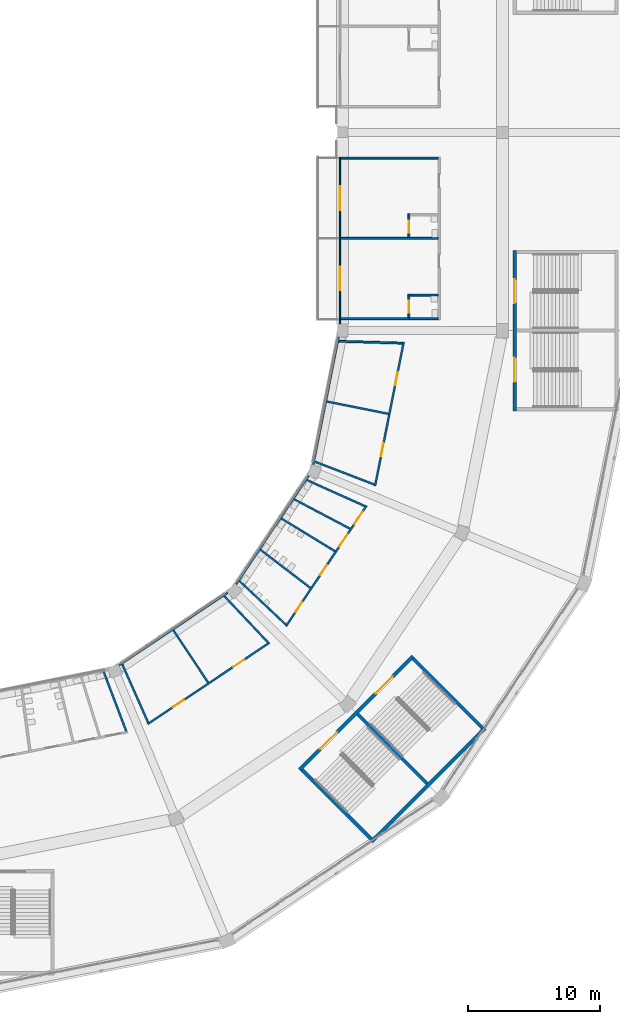
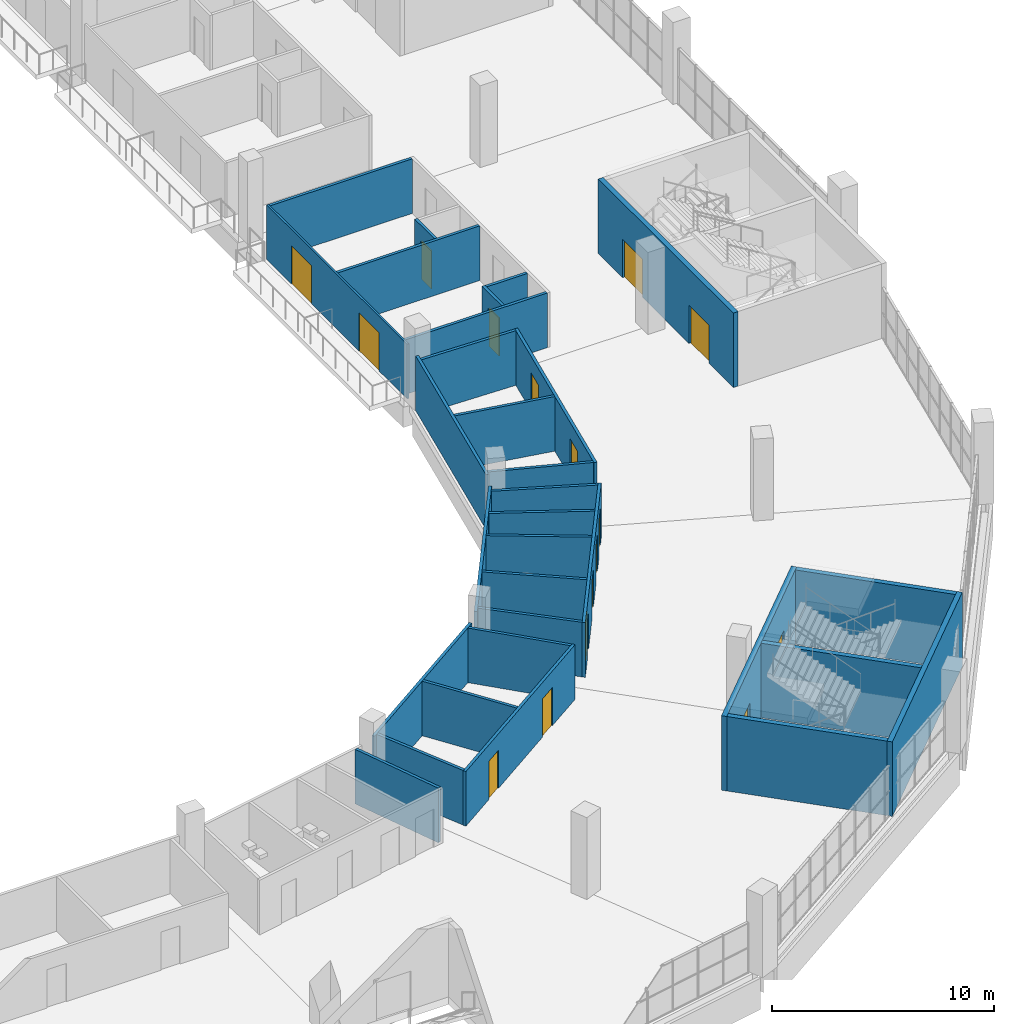
# One storey, part 79 of 199: 31 walls, 16 doors, 16 openings.
"""IFC4 building model written with IfcOpenShell, lengths in metres."""

from ifc_helpers import new_model, si_unit, direction, frame, frame_2d, origin, place, context, subcontext, project, spatial, rectangle, extrude, material, layer, layer_set, type_object, element, fill, save


model = new_model("IFC4")

# Units and contexts
model_context = context("Model", 3, precision=1e-05, world=origin(), true_north=direction((0.0, 1.0)))
body_context = subcontext(model_context, "Body", "Model", "MODEL_VIEW")
ifc_project = project(units=[si_unit("LENGTHUNIT", "METRE"), si_unit("AREAUNIT", "SQUARE_METRE"), si_unit("VOLUMEUNIT", "CUBIC_METRE"), si_unit("PLANEANGLEUNIT", "RADIAN"), si_unit("MASSUNIT", "GRAM", prefix="KILO")], contexts=[model_context])

# Site, building, storey
site_placement = place(None, origin())
site = spatial("IfcSite", under=ifc_project, at=site_placement, CompositionType="ELEMENT")
building_placement = place(site_placement, origin())
building = spatial("IfcBuilding", under=site, at=building_placement, Name="Ogive Plaza Stadium", CompositionType="ELEMENT")
storey_placement = place(building_placement, frame((0.0, 0.0, 9.0)))
storey = spatial("IfcBuildingStorey", under=building, at=storey_placement, Name="L02", CompositionType="ELEMENT", Elevation=9.0)

# Walls
ifc_material_1 = material(Name="Masonry blockwork", Category="masonry")
ifc_layer_1 = layer(ifc_material_1, 0.14990234375)
ifc_layer_set_1 = layer_set([ifc_layer_1], Name="Blockwork wall 150")
wall_type_1 = type_object("IfcWallType", Name="Blockwork wall 150", PredefinedType="SOLIDWALL", material=ifc_layer_set_1)
for number, where, z_axis, x_axis, name in (
    (1, (61.75, -51.60009765625, 0.0), (0.0, 0.0, 1.0), (1.0, 0.0, 0.0), "Wall L02 B07"),
    (2, (61.75, -45.52490234375, 0.0), (0.0, 0.0, 1.0), (1.0, 0.0, 0.0), "Wall L02 B07"),
    (3, (61.75, -39.449951171875, 0.0), (0.0, 0.0, 1.0), (1.0, 0.0, 0.0), "Wall L02 B07"),
):
    element("IfcWall", number, at=place(storey_placement, frame(where, z_axis=z_axis, x_axis=x_axis)), inside=storey, type_object=wall_type_1, Name=name, PredefinedType="SOLIDWALL", context=body_context, shape_type="SweptSolid", body=[
        extrude(rectangle(XDim=7.375, YDim=0.14990234375, at=frame_2d((3.6875, 0.0))), origin(), (0.0, 0.0, 1.0), 3.0),
    ])
wall_1_placement = place(storey_placement, frame((61.6005859375, -53.0, 0.0), z_axis=(0.0, 0.0, 1.0), x_axis=(-0.195099676887, -0.980783419557, 0.0)))
element("IfcWall", 4, at=wall_1_placement, inside=storey, type_object=wall_type_1, Name="Wall L02 B08", PredefinedType="SOLIDWALL", context=body_context, shape_type="SweptSolid", body=[
    extrude(rectangle(XDim=9.83935546875, YDim=0.14990234375, at=frame_2d((4.919677734375, 0.0))), origin(), (0.0, 0.0, 1.0), 3.0),
])

# Wall, openings, doors
wall_2_placement = place(storey_placement, frame((66.525634765625, -53.376220703125, 0.0), z_axis=(0.0, 0.0, 1.0), x_axis=(-0.195088107962, -0.980785720803, 0.0)))
wall_2 = element("IfcWall", 5, at=wall_2_placement, inside=storey, type_object=wall_type_1, Name="Wall L02 B08", PredefinedType="SOLIDWALL", context=body_context, shape_type="SweptSolid", body=[
    extrude(rectangle(XDim=11.09912109375, YDim=0.14990234375, at=frame_2d((5.549560546875, 0.0))), origin(), (0.0, 0.0, 1.0), 3.0),
])
opening_1_placement = place(wall_2_placement, frame((2.3154296875, 0.0, 0.0)))
opening_1 = element("IfcOpeningElement", 6, at=opening_1_placement, cuts=wall_2, Name="Opening D0643", PredefinedType="OPENING", context=body_context, shape_type="SweptSolid", body=[
    extrude(rectangle(XDim=1.0, YDim=2.10009765625, at=frame_2d((0.5, 1.050048828125))), frame((0.0, 0.074951171875, 0.0), z_axis=(0.0, -1.0, 0.0), x_axis=(1.0, 0.0, 0.0)), (0.0, 0.0, 1.0), 0.14990234375),
])
opening_2_placement = place(wall_2_placement, frame((7.78369140625, 0.0, 0.0)))
opening_2 = element("IfcOpeningElement", 7, at=opening_2_placement, cuts=wall_2, Name="Opening D0644", PredefinedType="OPENING", context=body_context, shape_type="SweptSolid", body=[
    extrude(rectangle(XDim=1.0, YDim=2.10009765625, at=frame_2d((0.5, 1.050048828125))), frame((0.0, 0.074951171875, 0.0), z_axis=(0.0, -1.0, 0.0), x_axis=(1.0, 0.0, 0.0)), (0.0, 0.0, 1.0), 0.14990234375),
])
ifc_material_2 = material(Name="Steel ASTM A572 Grade 50", Category="steel")
door_type_1 = type_object("IfcDoorType", Name="Fire door FD60 1000 x 2100", OperationType="SINGLE_SWING_LEFT", PredefinedType="DOOR", material=ifc_material_2)
door_1_placement = place(opening_1_placement, origin())
door_1 = element("IfcDoor", 8, at=door_1_placement, inside=storey, type_object=door_type_1, Name="Hospitality Pantry B08 door", OperationType="SINGLE_SWING_LEFT", OverallHeight=2.10009765625, OverallWidth=1.0, PredefinedType="DOOR", context=body_context, shape_type="SweptSolid", body=[
    extrude(rectangle(XDim=1.0, YDim=2.10009765625, at=frame_2d((0.5, 1.050048828125))), frame((0.0, 0.02490234375, 0.0), z_axis=(0.0, -1.0, 0.0), x_axis=(1.0, 0.0, 0.0)), (0.0, 0.0, 1.0), 0.050048828125),
])
fill(opening_1, door_1)
door_2_placement = place(opening_2_placement, origin())
door_2 = element("IfcDoor", 9, at=door_2_placement, inside=storey, type_object=door_type_1, Name="Hospitality Store B08 door", OperationType="SINGLE_SWING_RIGHT", OverallHeight=2.10009765625, OverallWidth=1.0, PredefinedType="DOOR", context=body_context, shape_type="SweptSolid", body=[
    extrude(rectangle(XDim=1.0, YDim=2.10009765625, at=frame_2d((0.5, 1.050048828125))), frame((0.0, 0.02490234375, 0.0), z_axis=(0.0, -1.0, 0.0), x_axis=(1.0, 0.0, 0.0)), (0.0, 0.0, 1.0), 0.050048828125),
])
fill(opening_2, door_2)

# Walls
wall_3_placement = place(storey_placement, frame((61.613525390625, -53.311767578125, 0.0), z_axis=(0.0, 0.0, 1.0), x_axis=(0.999567579473, -0.029405000692, 0.0)))
element("IfcWall", 10, at=wall_3_placement, inside=storey, type_object=wall_type_1, Name="Wall L02 B08", PredefinedType="SOLIDWALL", context=body_context, shape_type="SweptSolid", body=[
    extrude(rectangle(XDim=4.823974609375, YDim=0.14990234375, at=frame_2d((2.412109375, 0.0))), origin(), (0.0, 0.0, 1.0), 3.0),
])
wall_4_placement = place(storey_placement, frame((60.707275390625, -57.8671875, 0.0), z_axis=(0.0, 0.0, 1.0), x_axis=(0.980396663012, -0.19703396447, 0.0)))
element("IfcWall", 11, at=wall_4_placement, inside=storey, type_object=wall_type_1, Name="Wall L02 B08", PredefinedType="SOLIDWALL", context=body_context, shape_type="SweptSolid", body=[
    extrude(rectangle(XDim=4.7568359375, YDim=0.14990234375, at=frame_2d((2.37841796875, 0.0))), origin(), (0.0, 0.0, 1.0), 3.0),
])
wall_5_placement = place(storey_placement, frame((59.80126953125, -62.4228515625, 0.0), z_axis=(0.0, 0.0, 1.0), x_axis=(0.933357337601, -0.358948576187, 0.0)))
element("IfcWall", 12, at=wall_5_placement, inside=storey, type_object=wall_type_1, Name="Wall L02 B08", PredefinedType="SOLIDWALL", context=body_context, shape_type="SweptSolid", body=[
    extrude(rectangle(XDim=4.8271484375, YDim=0.14990234375, at=frame_2d((2.41357421875, 0.0))), origin(), (0.0, 0.0, 1.0), 3.0),
])
wall_6_placement = place(storey_placement, frame((53.205322265625, -72.341796875, 0.0), z_axis=(0.0, 0.0, 1.0), x_axis=(-0.831461186136, -0.555582843463, 0.0)))
element("IfcWall", 13, at=wall_6_placement, inside=storey, type_object=wall_type_1, Name="Wall L02 B10", PredefinedType="SOLIDWALL", context=body_context, shape_type="SweptSolid", body=[
    extrude(rectangle(XDim=9.890380859375, YDim=0.14990234375, at=frame_2d((4.9453125, 0.0))), origin(), (0.0, 0.0, 1.0), 3.0),
])

# Wall, openings, doors
wall_7_placement = place(storey_placement, frame((56.379638671875, -76.11865234375, 0.0), z_axis=(0.0, 0.0, 1.0), x_axis=(-0.831471162003, -0.555567913722, 0.0)))
wall_7 = element("IfcWall", 14, at=wall_7_placement, inside=storey, type_object=wall_type_1, Name="Wall L02 B10", PredefinedType="SOLIDWALL", context=body_context, shape_type="SweptSolid", body=[
    extrude(rectangle(XDim=11.09912109375, YDim=0.14990234375, at=frame_2d((5.549560546875, 0.0))), origin(), (0.0, 0.0, 1.0), 3.0),
])
opening_3_placement = place(wall_7_placement, frame((2.3154296875, 0.0, 0.0)))
opening_3 = element("IfcOpeningElement", 15, at=opening_3_placement, cuts=wall_7, Name="Opening D0649", PredefinedType="OPENING", context=body_context, shape_type="SweptSolid", body=[
    extrude(rectangle(XDim=1.0, YDim=2.10009765625, at=frame_2d((0.5, 1.050048828125))), frame((0.0, 0.074951171875, 0.0), z_axis=(0.0, -1.0, 0.0), x_axis=(1.0, 0.0, 0.0)), (0.0, 0.0, 1.0), 0.14990234375),
])
opening_4_placement = place(wall_7_placement, frame((7.78369140625, 0.0, 0.0)))
opening_4 = element("IfcOpeningElement", 16, at=opening_4_placement, cuts=wall_7, Name="Opening D0650", PredefinedType="OPENING", context=body_context, shape_type="SweptSolid", body=[
    extrude(rectangle(XDim=1.0, YDim=2.10009765625, at=frame_2d((0.5, 1.050048828125))), frame((0.0, 0.074951171875, 0.0), z_axis=(0.0, -1.0, 0.0), x_axis=(1.0, 0.0, 0.0)), (0.0, 0.0, 1.0), 0.14990234375),
])
door_3_placement = place(opening_3_placement, origin())
door_3 = element("IfcDoor", 17, at=door_3_placement, inside=storey, type_object=door_type_1, Name="Hospitality Pantry B10 door", OperationType="SINGLE_SWING_LEFT", OverallHeight=2.10009765625, OverallWidth=1.0, PredefinedType="DOOR", context=body_context, shape_type="SweptSolid", body=[
    extrude(rectangle(XDim=1.0, YDim=2.10009765625, at=frame_2d((0.5, 1.050048828125))), frame((0.0, 0.02490234375, 0.0), z_axis=(0.0, -1.0, 0.0), x_axis=(1.0, 0.0, 0.0)), (0.0, 0.0, 1.0), 0.050048828125),
])
fill(opening_3, door_3)
door_4_placement = place(opening_4_placement, origin())
door_4 = element("IfcDoor", 18, at=door_4_placement, inside=storey, type_object=door_type_1, Name="Hospitality Store B10 door", OperationType="SINGLE_SWING_RIGHT", OverallHeight=2.10009765625, OverallWidth=1.0, PredefinedType="DOOR", context=body_context, shape_type="SweptSolid", body=[
    extrude(rectangle(XDim=1.0, YDim=2.10009765625, at=frame_2d((0.5, 1.050048828125))), frame((0.0, 0.02490234375, 0.0), z_axis=(0.0, -1.0, 0.0), x_axis=(1.0, 0.0, 0.0)), (0.0, 0.0, 1.0), 0.050048828125),
])
fill(opening_4, door_4)

# Walls
wall_8_placement = place(storey_placement, frame((52.95166015625, -72.599853515625, 0.0), z_axis=(0.0, 0.0, 1.0), x_axis=(0.686025882093, -0.727577136184, 0.0)))
element("IfcWall", 19, at=wall_8_placement, inside=storey, type_object=wall_type_1, Name="Wall L02 B10", PredefinedType="SOLIDWALL", context=body_context, shape_type="SweptSolid", body=[
    extrude(rectangle(XDim=4.823974609375, YDim=0.14990234375, at=frame_2d((2.412109375, 0.0))), origin(), (0.0, 0.0, 1.0), 3.0),
])
wall_9_placement = place(storey_placement, frame((49.089599609375, -75.18017578125, 0.0), z_axis=(0.0, 0.0, 1.0), x_axis=(0.553930112441, -0.832563169093, 0.0)))
element("IfcWall", 20, at=wall_9_placement, inside=storey, type_object=wall_type_1, Name="Wall L02 B10", PredefinedType="SOLIDWALL", context=body_context, shape_type="SweptSolid", body=[
    extrude(rectangle(XDim=4.7568359375, YDim=0.14990234375, at=frame_2d((2.37841796875, 0.0))), origin(), (0.0, 0.0, 1.0), 3.0),
])
wall_10_placement = place(storey_placement, frame((45.227783203125, -77.7607421875, 0.0), z_axis=(0.0, 0.0, 1.0), x_axis=(0.406147851791, -0.913807377124, 0.0)))
element("IfcWall", 21, at=wall_10_placement, inside=storey, type_object=wall_type_1, Name="Wall L02 B10", PredefinedType="SOLIDWALL", context=body_context, shape_type="SweptSolid", body=[
    extrude(rectangle(XDim=4.826904296875, YDim=0.14990234375, at=frame_2d((2.41357421875, 0.0))), origin(), (0.0, 0.0, 1.0), 3.0),
])

# Wall, openings, doors
ifc_material_3 = material(Name="Concrete C40/50", Category="concrete")
ifc_layer_2 = layer(ifc_material_3, 0.25)
ifc_layer_set_2 = layer_set([ifc_layer_2], Name="Concrete C40/50")
wall_type_2 = type_object("IfcWallType", Name="Core wall 250", PredefinedType="SHEAR", material=ifc_layer_set_2)
wall_11_placement = place(storey_placement, frame((74.925048828125, -58.574951171875, 0.0), z_axis=(0.0, 0.0, 1.0), x_axis=(0.0, 1.0, 0.0)))
wall_11 = element("IfcWall", 22, at=wall_11_placement, inside=storey, type_object=wall_type_2, Name="Stair core R08 inner wall", PredefinedType="SHEAR", context=body_context, shape_type="SweptSolid", body=[
    extrude(rectangle(XDim=12.14990234375, YDim=0.25, at=frame_2d((6.074951171875, 0.0))), origin(), (0.0, 0.0, 1.0), 4.090087890625),
])
opening_5_placement = place(wall_11_placement, frame((2.199951171875, 0.0, 0.0)))
opening_5 = element("IfcOpeningElement", 23, at=opening_5_placement, cuts=wall_11, Name="Opening D0085", PredefinedType="OPENING", context=body_context, shape_type="SweptSolid", body=[
    extrude(rectangle(XDim=1.800048828125, YDim=2.10009765625, at=frame_2d((0.89990234375, 1.050048828125))), frame((0.0, 0.125, 0.0), z_axis=(0.0, -1.0, 0.0), x_axis=(1.0, 0.0, 0.0)), (0.0, 0.0, 1.0), 0.25),
])
opening_6_placement = place(wall_11_placement, frame((8.14990234375, 0.0, 0.0)))
opening_6 = element("IfcOpeningElement", 24, at=opening_6_placement, cuts=wall_11, Name="Opening D0086", PredefinedType="OPENING", context=body_context, shape_type="SweptSolid", body=[
    extrude(rectangle(XDim=1.800048828125, YDim=2.10009765625, at=frame_2d((0.89990234375, 1.050048828125))), frame((0.0, 0.125, 0.0), z_axis=(0.0, -1.0, 0.0), x_axis=(1.0, 0.0, 0.0)), (0.0, 0.0, 1.0), 0.25),
])
ifc_material_4 = material(Name="Steel ASTM A572 Grade 50", Category="steel")
door_type_2 = type_object("IfcDoorType", Name="Fire door FD90 pair 1800 x 2100", OperationType="DOUBLE_DOOR_SINGLE_SWING", PredefinedType="DOOR", material=ifc_material_4)
door_5_placement = place(opening_5_placement, origin())
door_5 = element("IfcDoor", 25, at=door_5_placement, inside=storey, type_object=door_type_2, Name="Exit stair R08A door L02", OperationType="DOUBLE_DOOR_SINGLE_SWING", OverallHeight=2.10009765625, OverallWidth=1.800048828125, PredefinedType="DOOR", context=body_context, shape_type="SweptSolid", body=[
    extrude(rectangle(XDim=1.800048828125, YDim=2.10009765625, at=frame_2d((0.89990234375, 1.050048828125))), frame((0.0, 0.02490234375, 0.0), z_axis=(0.0, -1.0, 0.0), x_axis=(1.0, 0.0, 0.0)), (0.0, 0.0, 1.0), 0.050048828125),
])
fill(opening_5, door_5)
door_6_placement = place(opening_6_placement, origin())
door_6 = element("IfcDoor", 26, at=door_6_placement, inside=storey, type_object=door_type_2, Name="Exit stair R08B door L02", OperationType="DOUBLE_DOOR_SINGLE_SWING", OverallHeight=2.10009765625, OverallWidth=1.800048828125, PredefinedType="DOOR", context=body_context, shape_type="SweptSolid", body=[
    extrude(rectangle(XDim=1.800048828125, YDim=2.10009765625, at=frame_2d((0.89990234375, 1.050048828125))), frame((0.0, 0.02490234375, 0.0), z_axis=(0.0, -1.0, 0.0), x_axis=(1.0, 0.0, 0.0)), (0.0, 0.0, 1.0), 0.050048828125),
])
fill(opening_6, door_6)

wall_12_placement = place(storey_placement, frame((58.642578125, -85.734130859375, 0.0), z_axis=(0.0, 0.0, 1.0), x_axis=(0.707106781187, 0.707106781187, 0.0)))
wall_12 = element("IfcWall", 27, at=wall_12_placement, inside=storey, type_object=wall_type_2, Name="Stair core R10 inner wall", PredefinedType="SHEAR", context=body_context, shape_type="SweptSolid", body=[
    extrude(rectangle(XDim=12.150390625, YDim=0.25, at=frame_2d((6.0751953125, 0.0))), origin(), (0.0, 0.0, 1.0), 4.090087890625),
])
opening_7_placement = place(wall_12_placement, frame((2.199951171875, 0.0, 0.0)))
opening_7 = element("IfcOpeningElement", 28, at=opening_7_placement, cuts=wall_12, Name="Opening D0097", PredefinedType="OPENING", context=body_context, shape_type="SweptSolid", body=[
    extrude(rectangle(XDim=1.800048828125, YDim=2.10009765625, at=frame_2d((0.89990234375, 1.050048828125))), frame((0.0, 0.125, 0.0), z_axis=(0.0, -1.0, 0.0), x_axis=(1.0, 0.0, 0.0)), (0.0, 0.0, 1.0), 0.25),
])
opening_8_placement = place(wall_12_placement, frame((8.14990234375, 0.0, 0.0)))
opening_8 = element("IfcOpeningElement", 29, at=opening_8_placement, cuts=wall_12, Name="Opening D0098", PredefinedType="OPENING", context=body_context, shape_type="SweptSolid", body=[
    extrude(rectangle(XDim=1.800048828125, YDim=2.10009765625, at=frame_2d((0.89990234375, 1.050048828125))), frame((0.0, 0.125, 0.0), z_axis=(0.0, -1.0, 0.0), x_axis=(1.0, 0.0, 0.0)), (0.0, 0.0, 1.0), 0.25),
])
door_7_placement = place(opening_7_placement, origin())
door_7 = element("IfcDoor", 30, at=door_7_placement, inside=storey, type_object=door_type_2, Name="Exit stair R10A door L02", OperationType="DOUBLE_DOOR_SINGLE_SWING", OverallHeight=2.10009765625, OverallWidth=1.800048828125, PredefinedType="DOOR", context=body_context, shape_type="SweptSolid", body=[
    extrude(rectangle(XDim=1.800048828125, YDim=2.10009765625, at=frame_2d((0.89990234375, 1.050048828125))), frame((0.0, 0.02490234375, 0.0), z_axis=(0.0, -1.0, 0.0), x_axis=(1.0, 0.0, 0.0)), (0.0, 0.0, 1.0), 0.050048828125),
])
fill(opening_7, door_7)
door_8_placement = place(opening_8_placement, origin())
door_8 = element("IfcDoor", 31, at=door_8_placement, inside=storey, type_object=door_type_2, Name="Exit stair R10B door L02", OperationType="DOUBLE_DOOR_SINGLE_SWING", OverallHeight=2.10009765625, OverallWidth=1.800048828125, PredefinedType="DOOR", context=body_context, shape_type="SweptSolid", body=[
    extrude(rectangle(XDim=1.800048828125, YDim=2.10009765625, at=frame_2d((0.89990234375, 1.050048828125))), frame((0.0, 0.02490234375, 0.0), z_axis=(0.0, -1.0, 0.0), x_axis=(1.0, 0.0, 0.0)), (0.0, 0.0, 1.0), 0.050048828125),
])
fill(opening_8, door_8)

# Walls
wall_13_placement = place(storey_placement, frame((64.094482421875, -91.185791015625, 0.0), z_axis=(0.0, 0.0, 1.0), x_axis=(0.707106781187, 0.707106781187, 0.0)))
element("IfcWall", 32, at=wall_13_placement, inside=storey, type_object=wall_type_2, Name="Stair core R10 outer wall", PredefinedType="SHEAR", context=body_context, shape_type="SweptSolid", body=[
    extrude(rectangle(XDim=12.14990234375, YDim=0.25, at=frame_2d((6.074951171875, 0.0))), origin(), (0.0, 0.0, 1.0), 4.090087890625),
])
for number, where, z_axis, x_axis, name in (
    (33, (58.8193359375, -85.734130859375, 0.0), (0.0, 0.0, 1.0), (0.707123144286, -0.707090417709, 0.0), "Stair core R10 side wall"),
    (34, (67.234130859375, -77.3193359375, 0.0), (0.0, 0.0, 1.0), (0.707090417709, -0.707123144286, 0.0), "Stair core R10 side wall"),
):
    element("IfcWall", number, at=place(storey_placement, frame(where, z_axis=z_axis, x_axis=x_axis)), inside=storey, type_object=wall_type_2, Name=name, PredefinedType="SHEAR", context=body_context, shape_type="SweptSolid", body=[
        extrude(rectangle(XDim=7.4599609375, YDim=0.25, at=frame_2d((3.72998046875, 0.0))), origin(), (0.0, 0.0, 1.0), 4.090087890625),
    ])
wall_14_placement = place(storey_placement, frame((63.026611328125, -81.526611328125, 0.0), z_axis=(0.0, 0.0, 1.0), x_axis=(0.707106781187, -0.707106781187, 0.0)))
element("IfcWall", 35, at=wall_14_placement, inside=storey, type_object=wall_type_2, Name="Stair core R10 centre wall", PredefinedType="SHEAR", context=body_context, shape_type="SweptSolid", body=[
    extrude(rectangle(XDim=7.460205078125, YDim=0.25, at=frame_2d((3.72998046875, 0.0))), origin(), (0.0, 0.0, 1.0), 4.090087890625),
])

# Wall, openings, doors
ifc_material_5 = material(Name="Laminated glass in aluminium frame", Category="aluminium")
ifc_layer_3 = layer(ifc_material_5, 0.10009765625)
ifc_layer_set_3 = layer_set([ifc_layer_3], Name="Glazed partition 100")
wall_type_3 = type_object("IfcWallType", Name="Glazed partition 100", PredefinedType="PARTITIONING", material=ifc_layer_set_3)
wall_15_placement = place(storey_placement, frame((61.699951171875, -52.0, 0.0), z_axis=(0.0, 0.0, 1.0), x_axis=(0.0, 1.0, 0.0)))
wall_15 = element("IfcWall", 36, at=wall_15_placement, inside=storey, type_object=wall_type_3, Name="Wall L02 B07", PredefinedType="PARTITIONING", context=body_context, shape_type="SweptSolid", body=[
    extrude(rectangle(XDim=12.625, YDim=0.10009765625, at=frame_2d((6.3125, 0.0))), origin(), (0.0, 0.0, 1.0), 3.0),
])
opening_9_placement = place(wall_15_placement, frame((2.53759765625, 0.0, 0.0)))
opening_9 = element("IfcOpeningElement", 37, at=opening_9_placement, cuts=wall_15, Name="Opening D0639", PredefinedType="OPENING", context=body_context, shape_type="SweptSolid", body=[
    extrude(rectangle(XDim=1.800048828125, YDim=2.10009765625, at=frame_2d((0.89990234375, 1.050048828125))), frame((0.0, 0.050048828125, 0.0), z_axis=(0.0, -1.0, 0.0), x_axis=(1.0, 0.0, 0.0)), (0.0, 0.0, 1.0), 0.10009765625),
])
opening_10_placement = place(wall_15_placement, frame((8.612548828125, 0.0, 0.0)))
opening_10 = element("IfcOpeningElement", 38, at=opening_10_placement, cuts=wall_15, Name="Opening D0640", PredefinedType="OPENING", context=body_context, shape_type="SweptSolid", body=[
    extrude(rectangle(XDim=1.800048828125, YDim=2.10009765625, at=frame_2d((0.89990234375, 1.050048828125))), frame((0.0, 0.050048828125, 0.0), z_axis=(0.0, -1.0, 0.0), x_axis=(1.0, 0.0, 0.0)), (0.0, 0.0, 1.0), 0.10009765625),
])
ifc_material_6 = material(Name="Steel ASTM A572 Grade 50", Category="steel")
door_type_3 = type_object("IfcDoorType", Name="Door pair 1800 x 2100", OperationType="DOUBLE_DOOR_SINGLE_SWING", PredefinedType="DOOR", material=ifc_material_6)
door_9_placement = place(opening_9_placement, origin())
door_9 = element("IfcDoor", 39, at=door_9_placement, inside=storey, type_object=door_type_3, Name="Suite terrace door B07", OperationType="DOUBLE_DOOR_SINGLE_SWING", OverallHeight=2.10009765625, OverallWidth=1.800048828125, PredefinedType="DOOR", context=body_context, shape_type="SweptSolid", body=[
    extrude(rectangle(XDim=1.800048828125, YDim=2.10009765625, at=frame_2d((0.89990234375, 1.050048828125))), frame((0.0, 0.02490234375, 0.0), z_axis=(0.0, -1.0, 0.0), x_axis=(1.0, 0.0, 0.0)), (0.0, 0.0, 1.0), 0.050048828125),
])
fill(opening_9, door_9)
door_10_placement = place(opening_10_placement, origin())
door_10 = element("IfcDoor", 40, at=door_10_placement, inside=storey, type_object=door_type_3, Name="Suite terrace door B07", OperationType="DOUBLE_DOOR_SINGLE_SWING", OverallHeight=2.10009765625, OverallWidth=1.800048828125, PredefinedType="DOOR", context=body_context, shape_type="SweptSolid", body=[
    extrude(rectangle(XDim=1.800048828125, YDim=2.10009765625, at=frame_2d((0.89990234375, 1.050048828125))), frame((0.0, 0.02490234375, 0.0), z_axis=(0.0, -1.0, 0.0), x_axis=(1.0, 0.0, 0.0)), (0.0, 0.0, 1.0), 0.050048828125),
])
fill(opening_10, door_10)

# Wall, opening, door
ifc_material_7 = material(Name="Gypsum board partition", Category="gypsum")
ifc_layer_4 = layer(ifc_material_7, 0.14990234375)
ifc_layer_set_4 = layer_set([ifc_layer_4], Name="Partition 150")
wall_type_4 = type_object("IfcWallType", Name="Partition 150", PredefinedType="PARTITIONING", material=ifc_layer_set_4)
wall_16_placement = place(storey_placement, frame((66.925048828125, -51.52490234375, 0.0), z_axis=(0.0, 0.0, 1.0), x_axis=(0.0, 1.0, 0.0)))
wall_16 = element("IfcWall", 41, at=wall_16_placement, inside=storey, type_object=wall_type_4, Name="Wall L02 B07", PredefinedType="PARTITIONING", context=body_context, shape_type="SweptSolid", body=[
    extrude(rectangle(XDim=1.77490234375, YDim=0.14990234375, at=frame_2d((0.887451171875, 0.0))), origin(), (0.0, 0.0, 1.0), 3.0),
])
opening_11_placement = place(wall_16_placement, frame((0.362548828125, 0.0, 0.0)))
opening_11 = element("IfcOpeningElement", 42, at=opening_11_placement, cuts=wall_16, Name="Opening D0641", PredefinedType="OPENING", context=body_context, shape_type="SweptSolid", body=[
    extrude(rectangle(XDim=0.89990234375, YDim=2.10009765625, at=frame_2d((0.449951171875, 1.050048828125))), frame((0.0, 0.074951171875, 0.0), z_axis=(0.0, -1.0, 0.0), x_axis=(1.0, 0.0, 0.0)), (0.0, 0.0, 1.0), 0.14990234375),
])
ifc_material_8 = material(Name="Steel ASTM A572 Grade 50", Category="steel")
door_type_4 = type_object("IfcDoorType", Name="Door 900 x 2100", OperationType="SINGLE_SWING_LEFT", PredefinedType="DOOR", material=ifc_material_8)
door_11_placement = place(opening_11_placement, origin())
door_11 = element("IfcDoor", 43, at=door_11_placement, inside=storey, type_object=door_type_4, Name="Suite WC B07 door", OperationType="SINGLE_SWING_RIGHT", OverallHeight=2.10009765625, OverallWidth=0.89990234375, PredefinedType="DOOR", context=body_context, shape_type="SweptSolid", body=[
    extrude(rectangle(XDim=0.89990234375, YDim=2.10009765625, at=frame_2d((0.449951171875, 1.050048828125))), frame((0.0, 0.02490234375, 0.0), z_axis=(0.0, -1.0, 0.0), x_axis=(1.0, 0.0, 0.0)), (0.0, 0.0, 1.0), 0.050048828125),
])
fill(opening_11, door_11)

# Wall
wall_17_placement = place(storey_placement, frame((67.0, -49.824951171875, 0.0), z_axis=(0.0, 0.0, 1.0), x_axis=(1.0, 0.0, 0.0)))
element("IfcWall", 44, at=wall_17_placement, inside=storey, type_object=wall_type_4, Name="Wall L02 B07", PredefinedType="PARTITIONING", context=body_context, shape_type="SweptSolid", body=[
    extrude(rectangle(XDim=2.125, YDim=0.14990234375, at=frame_2d((1.0625, 0.0))), origin(), (0.0, 0.0, 1.0), 3.0),
])

# Wall, opening, door
wall_18_placement = place(storey_placement, frame((66.925048828125, -45.449951171875, 0.0), z_axis=(0.0, 0.0, 1.0), x_axis=(0.0, 1.0, 0.0)))
wall_18 = element("IfcWall", 45, at=wall_18_placement, inside=storey, type_object=wall_type_4, Name="Wall L02 B07", PredefinedType="PARTITIONING", context=body_context, shape_type="SweptSolid", body=[
    extrude(rectangle(XDim=1.77490234375, YDim=0.14990234375, at=frame_2d((0.887451171875, 0.0))), origin(), (0.0, 0.0, 1.0), 3.0),
])
opening_12_placement = place(wall_18_placement, frame((0.362548828125, 0.0, 0.0)))
opening_12 = element("IfcOpeningElement", 46, at=opening_12_placement, cuts=wall_18, Name="Opening D0642", PredefinedType="OPENING", context=body_context, shape_type="SweptSolid", body=[
    extrude(rectangle(XDim=0.89990234375, YDim=2.10009765625, at=frame_2d((0.449951171875, 1.050048828125))), frame((0.0, 0.074951171875, 0.0), z_axis=(0.0, -1.0, 0.0), x_axis=(1.0, 0.0, 0.0)), (0.0, 0.0, 1.0), 0.14990234375),
])
door_12_placement = place(opening_12_placement, origin())
door_12 = element("IfcDoor", 47, at=door_12_placement, inside=storey, type_object=door_type_4, Name="Suite WC B07 door", OperationType="SINGLE_SWING_LEFT", OverallHeight=2.10009765625, OverallWidth=0.89990234375, PredefinedType="DOOR", context=body_context, shape_type="SweptSolid", body=[
    extrude(rectangle(XDim=0.89990234375, YDim=2.10009765625, at=frame_2d((0.449951171875, 1.050048828125))), frame((0.0, 0.02490234375, 0.0), z_axis=(0.0, -1.0, 0.0), x_axis=(1.0, 0.0, 0.0)), (0.0, 0.0, 1.0), 0.050048828125),
])
fill(opening_12, door_12)

# Wall
wall_19_placement = place(storey_placement, frame((53.841796875, -71.705322265625, 0.0), z_axis=(0.0, 0.0, 1.0), x_axis=(0.555582843463, 0.831461186136, 0.0)))
element("IfcWall", 48, at=wall_19_placement, inside=storey, type_object=wall_type_4, Name="Wall L02 B09", PredefinedType="PARTITIONING", context=body_context, shape_type="SweptSolid", body=[
    extrude(rectangle(XDim=9.890380859375, YDim=0.14990234375, at=frame_2d((4.9453125, 0.0))), origin(), (0.0, 0.0, 1.0), 3.0),
])

# Wall, openings, doors
wall_20_placement = place(storey_placement, frame((57.61865234375, -74.879638671875, 0.0), z_axis=(0.0, 0.0, 1.0), x_axis=(0.555577934543, 0.831464466258, 0.0)))
wall_20 = element("IfcWall", 49, at=wall_20_placement, inside=storey, type_object=wall_type_4, Name="Wall L02 B09", PredefinedType="PARTITIONING", context=body_context, shape_type="SweptSolid", body=[
    extrude(rectangle(XDim=10.97216796875, YDim=0.14990234375, at=frame_2d((5.486083984375, 0.0))), origin(), (0.0, 0.0, 1.0), 3.0),
])
opening_13_placement = place(wall_20_placement, frame((1.306640625, 0.0, 0.0)))
opening_13 = element("IfcOpeningElement", 50, at=opening_13_placement, cuts=wall_20, Name="Opening D0645", PredefinedType="OPENING", context=body_context, shape_type="SweptSolid", body=[
    extrude(rectangle(XDim=0.89990234375, YDim=2.10009765625, at=frame_2d((0.449951171875, 1.050048828125))), frame((0.0, 0.074951171875, 0.0), z_axis=(0.0, -1.0, 0.0), x_axis=(1.0, 0.0, 0.0)), (0.0, 0.0, 1.0), 0.14990234375),
])
opening_14_placement = place(wall_20_placement, frame((4.65771484375, 0.0, 0.0)))
opening_14 = element("IfcOpeningElement", 51, at=opening_14_placement, cuts=wall_20, Name="Opening D0646", PredefinedType="OPENING", context=body_context, shape_type="SweptSolid", body=[
    extrude(rectangle(XDim=0.89990234375, YDim=2.10009765625, at=frame_2d((0.449951171875, 1.050048828125))), frame((0.0, 0.074951171875, 0.0), z_axis=(0.0, -1.0, 0.0), x_axis=(1.0, 0.0, 0.0)), (0.0, 0.0, 1.0), 0.14990234375),
])
opening_15_placement = place(wall_20_placement, frame((7.26025390625, 0.0, 0.0)))
opening_15 = element("IfcOpeningElement", 52, at=opening_15_placement, cuts=wall_20, Name="Opening D0647", PredefinedType="OPENING", context=body_context, shape_type="SweptSolid", body=[
    extrude(rectangle(XDim=1.10009765625, YDim=2.10009765625, at=frame_2d((0.550048828125, 1.050048828125))), frame((0.0, 0.074951171875, 0.0), z_axis=(0.0, -1.0, 0.0), x_axis=(1.0, 0.0, 0.0)), (0.0, 0.0, 1.0), 0.14990234375),
])
opening_16_placement = place(wall_20_placement, frame((9.314208984375, 0.0, 0.0)))
opening_16 = element("IfcOpeningElement", 53, at=opening_16_placement, cuts=wall_20, Name="Opening D0648", PredefinedType="OPENING", context=body_context, shape_type="SweptSolid", body=[
    extrude(rectangle(XDim=1.10009765625, YDim=2.10009765625, at=frame_2d((0.550048828125, 1.050048828125))), frame((0.0, 0.074951171875, 0.0), z_axis=(0.0, -1.0, 0.0), x_axis=(1.0, 0.0, 0.0)), (0.0, 0.0, 1.0), 0.14990234375),
])
ifc_material_9 = material(Name="Steel ASTM A572 Grade 50", Category="steel")
door_type_5 = type_object("IfcDoorType", Name="Accessible door 1100 x 2100", OperationType="SINGLE_SWING_LEFT", PredefinedType="DOOR", material=ifc_material_9)
door_13_placement = place(opening_15_placement, origin())
door_13 = element("IfcDoor", 54, at=door_13_placement, inside=storey, type_object=door_type_5, Name="Accessible WC B09 door", OperationType="SINGLE_SWING_LEFT", OverallHeight=2.10009765625, OverallWidth=1.10009765625, PredefinedType="DOOR", context=body_context, shape_type="SweptSolid", body=[
    extrude(rectangle(XDim=1.10009765625, YDim=2.10009765625, at=frame_2d((0.550048828125, 1.050048828125))), frame((0.0, 0.02490234375, 0.0), z_axis=(0.0, -1.0, 0.0), x_axis=(1.0, 0.0, 0.0)), (0.0, 0.0, 1.0), 0.050048828125),
])
fill(opening_15, door_13)
door_14_placement = place(opening_16_placement, origin())
door_14 = element("IfcDoor", 55, at=door_14_placement, inside=storey, type_object=door_type_5, Name="Family WC B09 door", OperationType="SINGLE_SWING_LEFT", OverallHeight=2.10009765625, OverallWidth=1.10009765625, PredefinedType="DOOR", context=body_context, shape_type="SweptSolid", body=[
    extrude(rectangle(XDim=1.10009765625, YDim=2.10009765625, at=frame_2d((0.550048828125, 1.050048828125))), frame((0.0, 0.02490234375, 0.0), z_axis=(0.0, -1.0, 0.0), x_axis=(1.0, 0.0, 0.0)), (0.0, 0.0, 1.0), 0.050048828125),
])
fill(opening_16, door_14)
door_15_placement = place(opening_13_placement, origin())
door_15 = element("IfcDoor", 56, at=door_15_placement, inside=storey, type_object=door_type_4, Name="Men's Toilet B09 door", OperationType="SINGLE_SWING_RIGHT", OverallHeight=2.10009765625, OverallWidth=0.89990234375, PredefinedType="DOOR", context=body_context, shape_type="SweptSolid", body=[
    extrude(rectangle(XDim=0.89990234375, YDim=2.10009765625, at=frame_2d((0.449951171875, 1.050048828125))), frame((0.0, 0.02490234375, 0.0), z_axis=(0.0, -1.0, 0.0), x_axis=(1.0, 0.0, 0.0)), (0.0, 0.0, 1.0), 0.050048828125),
])
fill(opening_13, door_15)
door_16_placement = place(opening_14_placement, origin())
door_16 = element("IfcDoor", 57, at=door_16_placement, inside=storey, type_object=door_type_4, Name="Women's Toilet B09 door", OperationType="SINGLE_SWING_RIGHT", OverallHeight=2.10009765625, OverallWidth=0.89990234375, PredefinedType="DOOR", context=body_context, shape_type="SweptSolid", body=[
    extrude(rectangle(XDim=0.89990234375, YDim=2.10009765625, at=frame_2d((0.449951171875, 1.050048828125))), frame((0.0, 0.02490234375, 0.0), z_axis=(0.0, -1.0, 0.0), x_axis=(1.0, 0.0, 0.0)), (0.0, 0.0, 1.0), 0.050048828125),
])
fill(opening_14, door_16)

# Walls
wall_21_placement = place(storey_placement, frame((54.099853515625, -71.45166015625, 0.0), z_axis=(0.0, 0.0, 1.0), x_axis=(0.727577136184, -0.686025882093, 0.0)))
element("IfcWall", 58, at=wall_21_placement, inside=storey, type_object=wall_type_4, Name="Wall L02 B09", PredefinedType="PARTITIONING", context=body_context, shape_type="SweptSolid", body=[
    extrude(rectangle(XDim=4.823974609375, YDim=0.14990234375, at=frame_2d((2.412109375, 0.0))), origin(), (0.0, 0.0, 1.0), 3.0),
])
wall_22_placement = place(storey_placement, frame((55.68115234375, -69.0849609375, 0.0), z_axis=(0.0, 0.0, 1.0), x_axis=(0.794266232117, -0.607569874597, 0.0)))
element("IfcWall", 59, at=wall_22_placement, inside=storey, type_object=wall_type_4, Name="Wall L02 B09", PredefinedType="PARTITIONING", context=body_context, shape_type="SweptSolid", body=[
    extrude(rectangle(XDim=4.7666015625, YDim=0.14990234375, at=frame_2d((2.38330078125, 0.0))), origin(), (0.0, 0.0, 1.0), 3.0),
])
wall_23_placement = place(storey_placement, frame((57.262451171875, -66.71826171875, 0.0), z_axis=(0.0, 0.0, 1.0), x_axis=(0.8532285882, -0.52153712838, 0.0)))
element("IfcWall", 60, at=wall_23_placement, inside=storey, type_object=wall_type_4, Name="Wall L02 B09", PredefinedType="PARTITIONING", context=body_context, shape_type="SweptSolid", body=[
    extrude(rectangle(XDim=4.7607421875, YDim=0.14990234375, at=frame_2d((2.38037109375, 0.0))), origin(), (0.0, 0.0, 1.0), 3.0),
])
wall_24_placement = place(storey_placement, frame((58.231689453125, -65.267822265625, 0.0), z_axis=(0.0, 0.0, 1.0), x_axis=(0.884698876091, -0.466162952886, 0.0)))
element("IfcWall", 61, at=wall_24_placement, inside=storey, type_object=wall_type_4, Name="Wall L02 B09", PredefinedType="PARTITIONING", context=body_context, shape_type="SweptSolid", body=[
    extrude(rectangle(XDim=4.78271484375, YDim=0.14990234375, at=frame_2d((2.391357421875, 0.0))), origin(), (0.0, 0.0, 1.0), 3.0),
])
wall_25_placement = place(storey_placement, frame((59.200927734375, -63.8173828125, 0.0), z_axis=(0.0, 0.0, 1.0), x_axis=(0.912239426779, -0.409657452305, 0.0)))
element("IfcWall", 62, at=wall_25_placement, inside=storey, type_object=wall_type_4, Name="Wall L02 B09", PredefinedType="PARTITIONING", context=body_context, shape_type="SweptSolid", body=[
    extrude(rectangle(XDim=4.82373046875, YDim=0.14990234375, at=frame_2d((2.411865234375, 0.0))), origin(), (0.0, 0.0, 1.0), 3.0),
])
wall_26_placement = place(storey_placement, frame((43.817138671875, -78.322265625, 0.0), z_axis=(0.0, 0.0, 1.0), x_axis=(0.35538492255, -0.934720041951, 0.0)))
element("IfcWall", 63, at=wall_26_placement, inside=storey, type_object=wall_type_4, Name="Wall L02 B11", PredefinedType="PARTITIONING", context=body_context, shape_type="SweptSolid", body=[
    extrude(rectangle(XDim=4.823974609375, YDim=0.14990234375, at=frame_2d((2.412109375, 0.0))), origin(), (0.0, 0.0, 1.0), 3.0),
])

save(model, "model.ifc")
